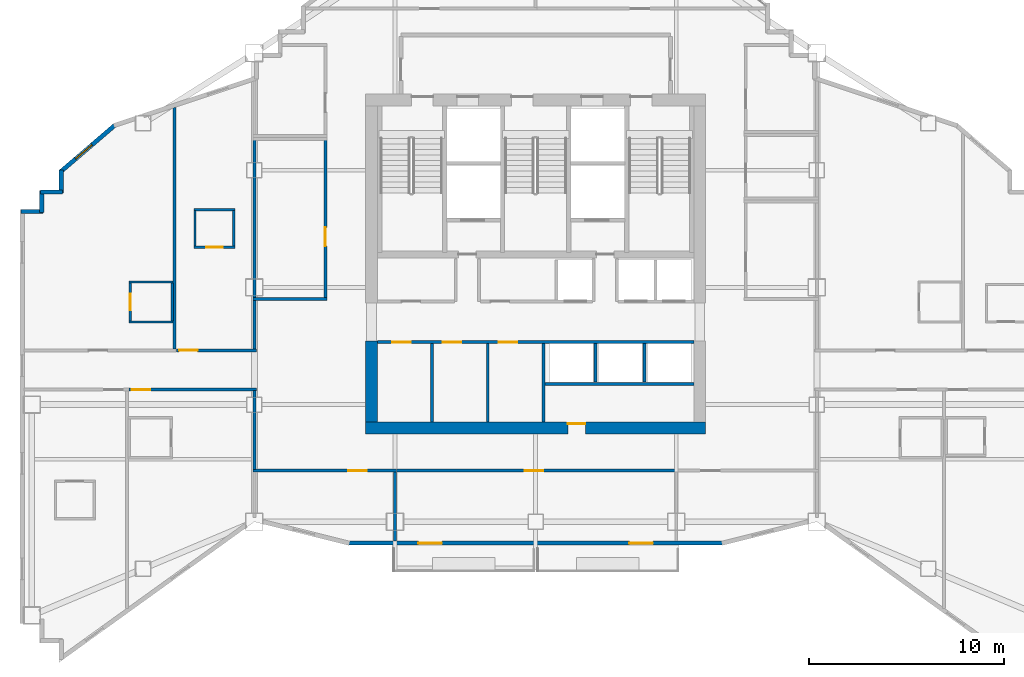
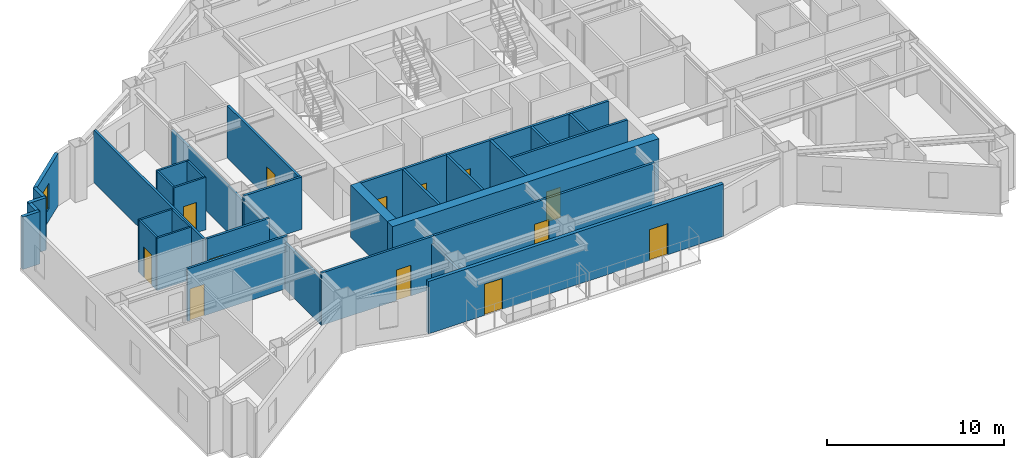
# One storey, part 5 of 10: 34 walls, 13 doors, 1 window, 14 openings.
"""IFC4 building model written with IfcOpenShell, lengths in metres."""

from ifc_helpers import new_model, si_unit, direction, frame, frame_2d, origin, place, context, subcontext, project, spatial, rectangle, extrude, material, layer, layer_set, type_object, element, fill, save


model = new_model("IFC4")

# Units and contexts
model_context = context("Model", 3, precision=1e-05, world=origin(), true_north=direction((0.0, 1.0)))
body_context = subcontext(model_context, "Body", "Model", "MODEL_VIEW")
ifc_project = project(units=[si_unit("LENGTHUNIT", "METRE"), si_unit("AREAUNIT", "SQUARE_METRE"), si_unit("VOLUMEUNIT", "CUBIC_METRE"), si_unit("PLANEANGLEUNIT", "RADIAN"), si_unit("MASSUNIT", "GRAM", prefix="KILO")], contexts=[model_context])

# Site, building, storey
site_placement = place(None, origin())
site = spatial("IfcSite", under=ifc_project, at=site_placement, CompositionType="ELEMENT")
building_placement = place(site_placement, origin())
building = spatial("IfcBuilding", under=site, at=building_placement, Name="Haolan Belvedere Tower", CompositionType="ELEMENT")
storey_placement = place(building_placement, frame((0.0, 0.0, 180.39990234375)))
storey = spatial("IfcBuildingStorey", under=building, at=storey_placement, Name="L45", CompositionType="ELEMENT", Elevation=180.39990234375)

# Wall, opening, door
ifc_material_1 = material(Name="Concrete C60/75", Category="concrete")
ifc_layer_1 = layer(ifc_material_1, 0.60009765625, Name="Concrete C60/75")
ifc_layer_set_1 = layer_set([ifc_layer_1], Name="Concrete C60/75")
wall_type_1 = type_object("IfcWallType", Name="WL-CORE-600", PredefinedType="SHEAR", material=ifc_layer_set_1)
wall_1_placement = place(storey_placement, frame((29.699951171875, 26.39990234375, 0.0), z_axis=(0.0, 0.0, 1.0), x_axis=(1.0, 0.0, 0.0)))
wall_1 = element("IfcWall", 1, at=wall_1_placement, inside=storey, type_object=wall_type_1, Name="L45 central core south shear wall", PredefinedType="SHEAR", context=body_context, shape_type="SweptSolid", body=[
    extrude(rectangle(XDim=17.400146484375, YDim=0.60009765625, at=frame_2d((8.7001953125, 0.0))), origin(), (0.0, 0.0, 1.0), 3.6201171875),
])
opening_1_placement = place(wall_1_placement, frame((11.25, 0.0, 0.0), z_axis=(0.0, 0.0, 1.0), x_axis=(-1.0, 0.0, 0.0)))
opening_1 = element("IfcOpeningElement", 2, at=opening_1_placement, cuts=wall_1, Name="Opening FD-05", PredefinedType="OPENING", context=body_context, shape_type="SweptSolid", body=[
    extrude(rectangle(XDim=0.89990234375, YDim=2.10009765625, at=frame_2d((0.449951171875, 1.050048828125))), frame((0.0, 0.31005859375, 0.0), z_axis=(0.0, -1.0, 0.0), x_axis=(1.0, 0.0, 0.0)), (0.0, 0.0, 1.0), 0.6201171875),
])
ifc_material_2 = material(Name="Galvanised fire-rated steel", Category="steel")
door_type_1 = type_object("IfcDoorType", Name="DR-FD60-900", OperationType="NOTDEFINED", PredefinedType="DOOR", material=ifc_material_2)
door_1_placement = place(opening_1_placement, origin())
door_1 = element("IfcDoor", 3, at=door_1_placement, inside=storey, type_object=door_type_1, Name="L45 door CD-L45-SCVE", OperationType="SINGLE_SWING_RIGHT", OverallHeight=2.10009765625, OverallWidth=0.89990234375, PredefinedType="DOOR", context=body_context, shape_type="SweptSolid", body=[
    extrude(rectangle(XDim=0.89990234375, YDim=2.10009765625, at=frame_2d((0.449951171875, 1.050048828125))), frame((0.0, -0.19482421875, 0.0), z_axis=(0.0, -1.0, 0.0), x_axis=(1.0, 0.0, 0.0)), (0.0, 0.0, 1.0), 0.050048828125),
])
fill(opening_1, door_1)

# Wall
wall_2_placement = place(storey_placement, frame((30.0, 26.699951171875, 0.0), z_axis=(0.0, 0.0, 1.0), x_axis=(0.0, 1.0, 0.0)))
element("IfcWall", 4, at=wall_2_placement, inside=storey, type_object=wall_type_1, Name="L45 central core shear wall WS", PredefinedType="SHEAR", context=body_context, shape_type="SweptSolid", body=[
    extrude(rectangle(XDim=4.150146484375, YDim=0.60009765625, at=frame_2d((2.0751953125, 0.0))), origin(), (0.0, 0.0, 1.0), 3.6201171875),
])

# Wall, openings, doors
ifc_material_3 = material(Name="Precast concrete C40/50", Category="concrete")
ifc_layer_2 = layer(ifc_material_3, 0.219970703125, Name="Precast concrete C40/50")
ifc_layer_set_2 = layer_set([ifc_layer_2], Name="Precast concrete C40/50")
wall_type_2 = type_object("IfcWallType", Name="WL-EXT-220", PredefinedType="SOLIDWALL", material=ifc_layer_set_2)
wall_3_placement = place(storey_placement, frame((28.758544921875, 20.510009765625, 0.0), z_axis=(0.0, 0.0, 1.0), x_axis=(1.0, 0.0, 0.0)))
wall_3 = element("IfcWall", 5, at=wall_3_placement, inside=storey, type_object=wall_type_2, Name="L45 pale-metal exterior spandrel wall 1.1", PredefinedType="SOLIDWALL", context=body_context, shape_type="SweptSolid", body=[
    extrude(rectangle(XDim=19.282958984375, YDim=0.219970703125, at=frame_2d((9.6416015625, 0.0))), origin(), (0.0, 0.0, 1.0), 3.6201171875),
])
opening_2_placement = place(wall_3_placement, frame((4.841552734375, 0.0, 0.0), z_axis=(0.0, 0.0, 1.0), x_axis=(-1.0, 0.0, 0.0)))
opening_2 = element("IfcOpeningElement", 6, at=opening_2_placement, cuts=wall_3, Name="Opening BD-01", PredefinedType="OPENING", context=body_context, shape_type="SweptSolid", body=[
    extrude(rectangle(XDim=1.199951171875, YDim=2.14990234375, at=frame_2d((0.60009765625, 1.074951171875))), frame((0.0, 0.119873046875, 0.0), z_axis=(0.0, -1.0, 0.0), x_axis=(1.0, 0.0, 0.0)), (0.0, 0.0, 1.0), 0.239990234375),
])
opening_3_placement = place(wall_3_placement, frame((15.641357421875, 0.0, 0.0), z_axis=(0.0, 0.0, 1.0), x_axis=(-1.0, 0.0, 0.0)))
opening_3 = element("IfcOpeningElement", 7, at=opening_3_placement, cuts=wall_3, Name="Opening BD-01", PredefinedType="OPENING", context=body_context, shape_type="SweptSolid", body=[
    extrude(rectangle(XDim=1.199951171875, YDim=2.14990234375, at=frame_2d((0.60009765625, 1.074951171875))), frame((0.0, 0.119873046875, 0.0), z_axis=(0.0, -1.0, 0.0), x_axis=(1.0, 0.0, 0.0)), (0.0, 0.0, 1.0), 0.239990234375),
])
ifc_material_4 = material(Name="Thermally broken pale-metal aluminium and Low-E glass", Category="aluminium")
door_type_2 = type_object("IfcDoorType", Name="DR-BAL-1200", OperationType="NOTDEFINED", PredefinedType="DOOR", material=ifc_material_4)
door_2_placement = place(opening_2_placement, origin())
door_2 = element("IfcDoor", 8, at=door_2_placement, inside=storey, type_object=door_type_2, Name="L45 tree-balcony access door 1", OperationType="SINGLE_SWING_LEFT", OverallHeight=2.14990234375, OverallWidth=1.199951171875, PredefinedType="DOOR", context=body_context, shape_type="SweptSolid", body=[
    extrude(rectangle(XDim=1.199951171875, YDim=2.14990234375, at=frame_2d((0.60009765625, 1.074951171875))), frame((0.0, 0.02490234375, 0.0), z_axis=(0.0, -1.0, 0.0), x_axis=(1.0, 0.0, 0.0)), (0.0, 0.0, 1.0), 0.050048828125),
])
fill(opening_2, door_2)
door_3_placement = place(opening_3_placement, origin())
door_3 = element("IfcDoor", 9, at=door_3_placement, inside=storey, type_object=door_type_2, Name="L45 tree-balcony access door 2", OperationType="SINGLE_SWING_RIGHT", OverallHeight=2.14990234375, OverallWidth=1.199951171875, PredefinedType="DOOR", context=body_context, shape_type="SweptSolid", body=[
    extrude(rectangle(XDim=1.199951171875, YDim=2.14990234375, at=frame_2d((0.60009765625, 1.074951171875))), frame((0.0, 0.02490234375, 0.0), z_axis=(0.0, -1.0, 0.0), x_axis=(1.0, 0.0, 0.0)), (0.0, 0.0, 1.0), 0.050048828125),
])
fill(opening_3, door_3)

# Wall, opening, window
wall_4_placement = place(storey_placement, frame((16.89697265625, 41.938232421875, 0.0), z_axis=(0.0, 0.0, 1.0), x_axis=(-0.759279729622, -0.650764390686, 0.0)))
wall_4 = element("IfcWall", 10, at=wall_4_placement, inside=storey, type_object=wall_type_2, Name="L45 pale-metal exterior spandrel wall 30.1", PredefinedType="SOLIDWALL", context=body_context, shape_type="SweptSolid", body=[
    extrude(rectangle(XDim=3.725830078125, YDim=0.219970703125, at=frame_2d((1.86279296875, 0.0))), origin(), (0.0, 0.0, 1.0), 3.6201171875),
])
opening_4_placement = place(wall_4_placement, frame((1.60009765625, 0.0, 0.85009765625)))
opening_4 = element("IfcOpeningElement", 11, at=opening_4_placement, cuts=wall_4, Name="Opening W-03", PredefinedType="OPENING", context=body_context, shape_type="SweptSolid", body=[
    extrude(rectangle(XDim=1.10009765625, YDim=1.75, at=frame_2d((0.550048828125, 0.875))), frame((0.0, 0.119873046875, 0.0), z_axis=(0.0, -1.0, 0.0), x_axis=(1.0, 0.0, 0.0)), (0.0, 0.0, 1.0), 0.239990234375),
])
ifc_material_5 = material(Name="Anodised aluminium 6063-T6 and Low-E glass", Category="aluminium")
window_type = type_object("IfcWindowType", Name="WN-DECO-Z3", PartitioningType="SINGLE_PANEL", PredefinedType="WINDOW", material=ifc_material_5)
window_placement = place(opening_4_placement, origin())
window = element("IfcWindow", 12, at=window_placement, inside=storey, type_object=window_type, Name="L45 Art Deco chevron window 1", OverallHeight=1.75, OverallWidth=1.10009765625, PartitioningType="SINGLE_PANEL", PredefinedType="WINDOW", context=body_context, shape_type="SweptSolid", body=[
    extrude(rectangle(XDim=1.10009765625, YDim=1.75, at=frame_2d((0.550048828125, 0.875))), frame((0.0, 0.030029296875, 0.0), z_axis=(0.0, -1.0, 0.0), x_axis=(1.0, 0.0, 0.0)), (0.0, 0.0, 1.0), 0.06005859375),
])
fill(opening_4, window)

# Walls
wall_5_placement = place(storey_placement, frame((14.110107421875, 39.6044921875, 0.0), z_axis=(0.0, 0.0, 1.0), x_axis=(0.0, -1.0, 0.0)))
element("IfcWall", 13, at=wall_5_placement, inside=storey, type_object=wall_type_2, Name="L45 pale-metal exterior spandrel wall 31.1", PredefinedType="SOLIDWALL", context=body_context, shape_type="SweptSolid", body=[
    extrude(rectangle(XDim=1.16943359375, YDim=0.219970703125, at=frame_2d((0.584716796875, 0.0))), origin(), (0.0, 0.0, 1.0), 3.6201171875),
])
wall_6_placement = place(storey_placement, frame((14.1650390625, 38.489990234375, 0.0), z_axis=(0.0, 0.0, 1.0), x_axis=(-1.0, 0.0, 0.0)))
element("IfcWall", 14, at=wall_6_placement, inside=storey, type_object=wall_type_2, Name="L45 pale-metal exterior spandrel wall 32.1", PredefinedType="SOLIDWALL", context=body_context, shape_type="SweptSolid", body=[
    extrude(rectangle(XDim=1.110107421875, YDim=0.219970703125, at=frame_2d((0.55517578125, 0.0))), origin(), (0.0, 0.0, 1.0), 3.6201171875),
])
wall_7_placement = place(storey_placement, frame((13.110107421875, 38.544921875, 0.0), z_axis=(0.0, 0.0, 1.0), x_axis=(0.0, -1.0, 0.0)))
element("IfcWall", 15, at=wall_7_placement, inside=storey, type_object=wall_type_2, Name="L45 pale-metal exterior spandrel wall 33.1", PredefinedType="SOLIDWALL", context=body_context, shape_type="SweptSolid", body=[
    extrude(rectangle(XDim=1.10986328125, YDim=0.219970703125, at=frame_2d((0.554931640625, 0.0))), origin(), (0.0, 0.0, 1.0), 3.6201171875),
])
wall_8_placement = place(storey_placement, frame((13.1650390625, 37.489990234375, 0.0), z_axis=(0.0, 0.0, 1.0), x_axis=(-1.0, 0.0, 0.0)))
element("IfcWall", 16, at=wall_8_placement, inside=storey, type_object=wall_type_2, Name="L45 pale-metal exterior spandrel wall 34.1", PredefinedType="SOLIDWALL", context=body_context, shape_type="SweptSolid", body=[
    extrude(rectangle(XDim=1.110107421875, YDim=0.219970703125, at=frame_2d((0.55517578125, 0.0))), origin(), (0.0, 0.0, 1.0), 3.6201171875),
])
ifc_material_6 = material(Name="Double gypsum acoustic stud partition", Category="masonry")
ifc_layer_3 = layer(ifc_material_6, 0.14990234375, Name="Double gypsum acoustic stud partition")
ifc_layer_set_3 = layer_set([ifc_layer_3], Name="Double gypsum acoustic stud partition")
wall_type_3 = type_object("IfcWallType", Name="WL-PART-150", PredefinedType="PARTITIONING", material=ifc_layer_set_3)
for number, where, z_axis, x_axis, name in (
    (17, (33.10009765625, 26.7099609375, 0.0), (0.0, 0.0, 1.0), (0.0, 1.0, 0.0), "L45 interior partition IW-L45-DIV-REUSE-PM1"),
    (18, (35.949951171875, 26.7099609375, 0.0), (0.0, 0.0, 1.0), (0.0, 1.0, 0.0), "L45 interior partition IW-L45-DIV-REUSE-PM2"),
):
    element("IfcWall", number, at=place(storey_placement, frame(where, z_axis=z_axis, x_axis=x_axis)), inside=storey, type_object=wall_type_3, Name=name, PredefinedType="PARTITIONING", context=body_context, shape_type="SweptSolid", body=[
        extrude(rectangle(XDim=4.025146484375, YDim=0.14990234375, at=frame_2d((2.0126953125, 0.0))), origin(), (0.0, 0.0, 1.0), 3.6201171875),
    ])
wall_9_placement = place(storey_placement, frame((38.860107421875, 28.659912109375, 0.0), z_axis=(0.0, 0.0, 1.0), x_axis=(1.0, 0.0, 0.0)))
element("IfcWall", 19, at=wall_9_placement, inside=storey, type_object=wall_type_3, Name="L45 interior partition IW-L45-SSTRIP-E", PredefinedType="PARTITIONING", context=body_context, shape_type="SweptSolid", body=[
    extrude(rectangle(XDim=7.639892578125, YDim=0.14990234375, at=frame_2d((3.81982421875, 0.0))), origin(), (0.0, 0.0, 1.0), 3.6201171875),
])
wall_10_placement = place(storey_placement, frame((23.919921875, 33.0, 0.0), z_axis=(0.0, 0.0, 1.0), x_axis=(1.0, 0.0, 0.0)))
element("IfcWall", 20, at=wall_10_placement, inside=storey, type_object=wall_type_3, Name="L45 interior partition IW-L45-SAL-S", PredefinedType="PARTITIONING", context=body_context, shape_type="SweptSolid", body=[
    extrude(rectangle(XDim=3.800048828125, YDim=0.14990234375, at=frame_2d((1.89990234375, 0.0))), origin(), (0.0, 0.0, 1.0), 3.6201171875),
])
wall_11_placement = place(storey_placement, frame((24.0, 33.06005859375, 0.0), z_axis=(0.0, 0.0, 1.0), x_axis=(0.0, 1.0, 0.0)))
element("IfcWall", 21, at=wall_11_placement, inside=storey, type_object=wall_type_3, Name="L45 interior partition IW-L45-SAL-W", PredefinedType="PARTITIONING", context=body_context, shape_type="SweptSolid", body=[
    extrude(rectangle(XDim=8.079833984375, YDim=0.14990234375, at=frame_2d((4.0400390625, 0.0))), origin(), (0.0, 0.0, 1.0), 3.215087890625),
])

# Wall, opening, door
wall_12_placement = place(storey_placement, frame((27.639892578125, 33.06005859375, 0.0), z_axis=(0.0, 0.0, 1.0), x_axis=(0.0, 1.0, 0.0)))
wall_12 = element("IfcWall", 22, at=wall_12_placement, inside=storey, type_object=wall_type_3, Name="L45 interior partition IW-L45-SAL-E", PredefinedType="PARTITIONING", context=body_context, shape_type="SweptSolid", body=[
    extrude(rectangle(XDim=8.079833984375, YDim=0.14990234375, at=frame_2d((4.0400390625, 0.0))), origin(), (0.0, 0.0, 1.0), 3.6201171875),
])
opening_5_placement = place(wall_12_placement, frame((3.60986328125, 0.0, 0.0), z_axis=(0.0, 0.0, 1.0), x_axis=(-1.0, 0.0, 0.0)))
opening_5 = element("IfcOpeningElement", 23, at=opening_5_placement, cuts=wall_12, Name="Opening ID-03", PredefinedType="OPENING", context=body_context, shape_type="SweptSolid", body=[
    extrude(rectangle(XDim=0.949951171875, YDim=2.1201171875, at=frame_2d((0.47509765625, 1.06005859375))), frame((0.0, 0.0849609375, 0.0), z_axis=(0.0, -1.0, 0.0), x_axis=(1.0, 0.0, 0.0)), (0.0, 0.0, 1.0), 0.169921875),
])
ifc_material_7 = material(Name="Painted solid-core timber", Category="wood")
door_type_3 = type_object("IfcDoorType", Name="DR-INT-950", OperationType="NOTDEFINED", PredefinedType="DOOR", material=ifc_material_7)
door_4_placement = place(opening_5_placement, origin())
door_4 = element("IfcDoor", 24, at=door_4_placement, inside=storey, type_object=door_type_3, Name="L45 door ID-L45-SAL", OperationType="SINGLE_SWING_LEFT", OverallHeight=2.1201171875, OverallWidth=0.949951171875, PredefinedType="DOOR", context=body_context, shape_type="SweptSolid", body=[
    extrude(rectangle(XDim=0.949951171875, YDim=2.1201171875, at=frame_2d((0.47509765625, 1.06005859375))), frame((0.0, 0.02490234375, 0.0), z_axis=(0.0, -1.0, 0.0), x_axis=(1.0, 0.0, 0.0)), (0.0, 0.0, 1.0), 0.050048828125),
])
fill(opening_5, door_4)

wall_13_placement = place(storey_placement, frame((23.919921875, 24.219970703125, 0.0), z_axis=(0.0, 0.0, 1.0), x_axis=(1.0, 0.0, 0.0)))
wall_13 = element("IfcWall", 25, at=wall_13_placement, inside=storey, type_object=wall_type_3, Name="L45 interior partition IW-L45-KS1-N", PredefinedType="PARTITIONING", context=body_context, shape_type="SweptSolid", body=[
    extrude(rectangle(XDim=7.360107421875, YDim=0.14990234375, at=frame_2d((3.68017578125, 0.0))), origin(), (0.0, 0.0, 1.0), 3.6201171875),
])
opening_6_placement = place(wall_13_placement, frame((5.844970703125, 0.0, 0.0), z_axis=(0.0, 0.0, 1.0), x_axis=(-1.0, 0.0, 0.0)))
opening_6 = element("IfcOpeningElement", 26, at=opening_6_placement, cuts=wall_13, Name="Opening ID-03", PredefinedType="OPENING", context=body_context, shape_type="SweptSolid", body=[
    extrude(rectangle(XDim=0.949951171875, YDim=2.1201171875, at=frame_2d((0.47509765625, 1.06005859375))), frame((0.0, 0.0849609375, 0.0), z_axis=(0.0, -1.0, 0.0), x_axis=(1.0, 0.0, 0.0)), (0.0, 0.0, 1.0), 0.169921875),
])
door_5_placement = place(opening_6_placement, origin())
door_5 = element("IfcDoor", 27, at=door_5_placement, inside=storey, type_object=door_type_3, Name="L45 door ID-L45-KS1", OperationType="SINGLE_SWING_LEFT", OverallHeight=2.1201171875, OverallWidth=0.949951171875, PredefinedType="DOOR", context=body_context, shape_type="SweptSolid", body=[
    extrude(rectangle(XDim=0.949951171875, YDim=2.1201171875, at=frame_2d((0.47509765625, 1.06005859375))), frame((0.0, 0.02490234375, 0.0), z_axis=(0.0, -1.0, 0.0), x_axis=(1.0, 0.0, 0.0)), (0.0, 0.0, 1.0), 0.050048828125),
])
fill(opening_6, door_5)

# Wall
wall_14_placement = place(storey_placement, frame((31.199951171875, 20.612060546875, 0.0), z_axis=(0.0, 0.0, 1.0), x_axis=(0.0, 1.0, 0.0)))
element("IfcWall", 28, at=wall_14_placement, inside=storey, type_object=wall_type_3, Name="L45 interior partition IW-L45-KS1-E", PredefinedType="PARTITIONING", context=body_context, shape_type="SweptSolid", body=[
    extrude(rectangle(XDim=3.5478515625, YDim=0.14990234375, at=frame_2d((1.77392578125, 0.0))), origin(), (0.0, 0.0, 1.0), 3.10498046875),
])

# Wall, opening, door
wall_15_placement = place(storey_placement, frame((31.281982421875, 24.219970703125, 0.0), z_axis=(0.0, 0.0, 1.0), x_axis=(1.0, 0.0, 0.0)))
wall_15 = element("IfcWall", 29, at=wall_15_placement, inside=storey, type_object=wall_type_3, Name="L45 interior partition IW-L45-KS2-N", PredefinedType="PARTITIONING", context=body_context, shape_type="SweptSolid", body=[
    extrude(rectangle(XDim=14.39794921875, YDim=0.14990234375, at=frame_2d((7.198974609375, 0.0))), origin(), (0.0, 0.0, 1.0), 3.6201171875),
])
opening_7_placement = place(wall_15_placement, frame((7.512939453125, 0.0, 0.0), z_axis=(0.0, 0.0, 1.0), x_axis=(-1.0, 0.0, 0.0)))
opening_7 = element("IfcOpeningElement", 30, at=opening_7_placement, cuts=wall_15, Name="Opening ID-03", PredefinedType="OPENING", context=body_context, shape_type="SweptSolid", body=[
    extrude(rectangle(XDim=0.949951171875, YDim=2.1201171875, at=frame_2d((0.47509765625, 1.06005859375))), frame((0.0, 0.0849609375, 0.0), z_axis=(0.0, -1.0, 0.0), x_axis=(1.0, 0.0, 0.0)), (0.0, 0.0, 1.0), 0.169921875),
])
door_6_placement = place(opening_7_placement, origin())
door_6 = element("IfcDoor", 31, at=door_6_placement, inside=storey, type_object=door_type_3, Name="L45 door ID-L45-KS2", OperationType="SINGLE_SWING_RIGHT", OverallHeight=2.1201171875, OverallWidth=0.949951171875, PredefinedType="DOOR", context=body_context, shape_type="SweptSolid", body=[
    extrude(rectangle(XDim=0.949951171875, YDim=2.1201171875, at=frame_2d((0.47509765625, 1.06005859375))), frame((0.0, 0.02490234375, 0.0), z_axis=(0.0, -1.0, 0.0), x_axis=(1.0, 0.0, 0.0)), (0.0, 0.0, 1.0), 0.050048828125),
])
fill(opening_7, door_6)

# Wall
wall_16_placement = place(storey_placement, frame((19.89990234375, 30.43994140625, 0.0), z_axis=(0.0, 0.0, 1.0), x_axis=(0.0, 1.0, 0.0)))
element("IfcWall", 32, at=wall_16_placement, inside=storey, type_object=wall_type_3, Name="L45 interior partition IW-L45-T2N1-E", PredefinedType="PARTITIONING", context=body_context, shape_type="SweptSolid", body=[
    extrude(rectangle(XDim=12.369873046875, YDim=0.14990234375, at=frame_2d((6.18505859375, 0.0))), origin(), (0.0, 0.0, 1.0), 3.6201171875),
])

# Wall, opening, door
wall_17_placement = place(storey_placement, frame((20.001953125, 30.3798828125, 0.0), z_axis=(0.0, 0.0, 1.0), x_axis=(1.0, 0.0, 0.0)))
wall_17 = element("IfcWall", 33, at=wall_17_placement, inside=storey, type_object=wall_type_3, Name="L45 interior partition IW-L45-T2N2-S", PredefinedType="PARTITIONING", context=body_context, shape_type="SweptSolid", body=[
    extrude(rectangle(XDim=4.09814453125, YDim=0.14990234375, at=frame_2d((2.049072265625, 0.0))), origin(), (0.0, 0.0, 1.0), 3.6201171875),
])
opening_8_placement = place(wall_17_placement, frame((0.139892578125, 0.0, 0.0)))
opening_8 = element("IfcOpeningElement", 34, at=opening_8_placement, cuts=wall_17, Name="Opening ID-02", PredefinedType="OPENING", context=body_context, shape_type="SweptSolid", body=[
    extrude(rectangle(XDim=0.949951171875, YDim=2.14990234375, at=frame_2d((0.47509765625, 1.074951171875))), frame((0.0, 0.0849609375, 0.0), z_axis=(0.0, -1.0, 0.0), x_axis=(1.0, 0.0, 0.0)), (0.0, 0.0, 1.0), 0.169921875),
])
ifc_material_8 = material(Name="Acoustic oak veneer fire-rated timber", Category="wood")
door_type_4 = type_object("IfcDoorType", Name="DR-GUEST-950", OperationType="NOTDEFINED", PredefinedType="DOOR", material=ifc_material_8)
door_7_placement = place(opening_8_placement, origin())
door_7 = element("IfcDoor", 35, at=door_7_placement, inside=storey, type_object=door_type_4, Name="L45 door ID-L45-T2N2-ENT", OperationType="SINGLE_SWING_LEFT", OverallHeight=2.14990234375, OverallWidth=0.949951171875, PredefinedType="DOOR", context=body_context, shape_type="SweptSolid", body=[
    extrude(rectangle(XDim=0.949951171875, YDim=2.14990234375, at=frame_2d((0.47509765625, 1.074951171875))), frame((0.0, 0.02490234375, 0.0), z_axis=(0.0, -1.0, 0.0), x_axis=(1.0, 0.0, 0.0)), (0.0, 0.0, 1.0), 0.050048828125),
])
fill(opening_8, door_7)

# Wall
wall_18_placement = place(storey_placement, frame((24.0, 30.43994140625, 0.0), z_axis=(0.0, 0.0, 1.0), x_axis=(0.0, 1.0, 0.0)))
element("IfcWall", 36, at=wall_18_placement, inside=storey, type_object=wall_type_3, Name="L45 interior partition IW-L45-T2N2-E", PredefinedType="PARTITIONING", context=body_context, shape_type="SweptSolid", body=[
    extrude(rectangle(XDim=2.5, YDim=0.14990234375, at=frame_2d((1.25, 0.0))), origin(), (0.0, 0.0, 1.0), 3.215087890625),
])

# Wall, opening, door
wall_19_placement = place(storey_placement, frame((17.58203125, 28.3701171875, 0.0), z_axis=(0.0, 0.0, 1.0), x_axis=(1.0, 0.0, 0.0)))
wall_19 = element("IfcWall", 37, at=wall_19_placement, inside=storey, type_object=wall_type_3, Name="L45 interior partition IW-L45-T2S2-N", PredefinedType="PARTITIONING", context=body_context, shape_type="SweptSolid", body=[
    extrude(rectangle(XDim=6.51806640625, YDim=0.14990234375, at=frame_2d((3.259033203125, 0.0))), origin(), (0.0, 0.0, 1.0), 3.6201171875),
])
opening_9_placement = place(wall_19_placement, frame((1.08984375, 0.0, 0.0), z_axis=(0.0, 0.0, 1.0), x_axis=(-1.0, 0.0, 0.0)))
opening_9 = element("IfcOpeningElement", 38, at=opening_9_placement, cuts=wall_19, Name="Opening ID-01", PredefinedType="OPENING", context=body_context, shape_type="SweptSolid", body=[
    extrude(rectangle(XDim=0.949951171875, YDim=2.179931640625, at=frame_2d((0.47509765625, 1.08984375))), frame((0.0, 0.0849609375, 0.0), z_axis=(0.0, -1.0, 0.0), x_axis=(1.0, 0.0, 0.0)), (0.0, 0.0, 1.0), 0.169921875),
])
ifc_material_9 = material(Name="Acoustic walnut veneer fire-rated timber", Category="wood")
door_type_5 = type_object("IfcDoorType", Name="DR-SUITE-950", OperationType="NOTDEFINED", PredefinedType="DOOR", material=ifc_material_9)
door_8_placement = place(opening_9_placement, origin())
door_8 = element("IfcDoor", 39, at=door_8_placement, inside=storey, type_object=door_type_5, Name="L45 door ID-L45-T2S2-ENT", OperationType="SINGLE_SWING_LEFT", OverallHeight=2.179931640625, OverallWidth=0.949951171875, PredefinedType="DOOR", context=body_context, shape_type="SweptSolid", body=[
    extrude(rectangle(XDim=0.949951171875, YDim=2.179931640625, at=frame_2d((0.47509765625, 1.08984375))), frame((0.0, 0.02490234375, 0.0), z_axis=(0.0, -1.0, 0.0), x_axis=(1.0, 0.0, 0.0)), (0.0, 0.0, 1.0), 0.050048828125),
])
fill(opening_9, door_8)

# Wall
wall_20_placement = place(storey_placement, frame((24.0, 24.280029296875, 0.0), z_axis=(0.0, 0.0, 1.0), x_axis=(0.0, 1.0, 0.0)))
element("IfcWall", 40, at=wall_20_placement, inside=storey, type_object=wall_type_3, Name="L45 interior partition IW-L45-T2S2-E", PredefinedType="PARTITIONING", context=body_context, shape_type="SweptSolid", body=[
    extrude(rectangle(XDim=4.030029296875, YDim=0.14990234375, at=frame_2d((2.01513671875, 0.0))), origin(), (0.0, 0.0, 1.0), 3.215087890625),
])

# Wall, openings, doors
ifc_material_10 = material(Name="Gypsum fire shaftwall assembly", Category="masonry")
ifc_layer_4 = layer(ifc_material_10, 0.1650390625, Name="Gypsum fire shaftwall assembly")
ifc_layer_set_4 = layer_set([ifc_layer_4], Name="Gypsum fire shaftwall assembly")
wall_type_4 = type_object("IfcWallType", Name="WL-SHAFT-160", PredefinedType="SOLIDWALL", material=ifc_layer_set_4)
wall_21_placement = place(storey_placement, frame((30.300048828125, 30.800048828125, 0.0), z_axis=(0.0, 0.0, 1.0), x_axis=(1.0, 0.0, 0.0)))
wall_21 = element("IfcWall", 41, at=wall_21_placement, inside=storey, type_object=wall_type_4, Name="L45 interior partition IW-L45-ROW-PS", PredefinedType="SOLIDWALL", context=body_context, shape_type="SweptSolid", body=[
    extrude(rectangle(XDim=16.199951171875, YDim=0.159912109375, at=frame_2d((8.10009765625, 0.0))), origin(), (0.0, 0.0, 1.0), 3.6201171875),
])
opening_10_placement = place(wall_21_placement, frame((0.75, 0.0, 0.0)))
opening_10 = element("IfcOpeningElement", 42, at=opening_10_placement, cuts=wall_21, Name="Opening ID-03", PredefinedType="OPENING", context=body_context, shape_type="SweptSolid", body=[
    extrude(rectangle(XDim=0.949951171875, YDim=2.1201171875, at=frame_2d((0.47509765625, 1.06005859375))), frame((0.0, 0.08984375, 0.0), z_axis=(0.0, -1.0, 0.0), x_axis=(1.0, 0.0, 0.0)), (0.0, 0.0, 1.0), 0.179931640625),
])
opening_11_placement = place(wall_21_placement, frame((3.35009765625, 0.0, 0.0)))
opening_11 = element("IfcOpeningElement", 43, at=opening_11_placement, cuts=wall_21, Name="Opening ID-03", PredefinedType="OPENING", context=body_context, shape_type="SweptSolid", body=[
    extrude(rectangle(XDim=0.949951171875, YDim=2.1201171875, at=frame_2d((0.47509765625, 1.06005859375))), frame((0.0, 0.08984375, 0.0), z_axis=(0.0, -1.0, 0.0), x_axis=(1.0, 0.0, 0.0)), (0.0, 0.0, 1.0), 0.179931640625),
])
opening_12_placement = place(wall_21_placement, frame((6.199951171875, 0.0, 0.0)))
opening_12 = element("IfcOpeningElement", 44, at=opening_12_placement, cuts=wall_21, Name="Opening ID-03", PredefinedType="OPENING", context=body_context, shape_type="SweptSolid", body=[
    extrude(rectangle(XDim=0.949951171875, YDim=2.1201171875, at=frame_2d((0.47509765625, 1.06005859375))), frame((0.0, 0.08984375, 0.0), z_axis=(0.0, -1.0, 0.0), x_axis=(1.0, 0.0, 0.0)), (0.0, 0.0, 1.0), 0.179931640625),
])
door_9_placement = place(opening_10_placement, origin())
door_9 = element("IfcDoor", 45, at=door_9_placement, inside=storey, type_object=door_type_3, Name="L45 door ID-L45-CD-RPMA", OperationType="SINGLE_SWING_LEFT", OverallHeight=2.1201171875, OverallWidth=0.949951171875, PredefinedType="DOOR", context=body_context, shape_type="SweptSolid", body=[
    extrude(rectangle(XDim=0.949951171875, YDim=2.1201171875, at=frame_2d((0.47509765625, 1.06005859375))), frame((0.0, 0.02490234375, 0.0), z_axis=(0.0, -1.0, 0.0), x_axis=(1.0, 0.0, 0.0)), (0.0, 0.0, 1.0), 0.050048828125),
])
fill(opening_10, door_9)
door_10_placement = place(opening_11_placement, origin())
door_10 = element("IfcDoor", 46, at=door_10_placement, inside=storey, type_object=door_type_3, Name="L45 door ID-L45-CD-RPMB", OperationType="SINGLE_SWING_RIGHT", OverallHeight=2.1201171875, OverallWidth=0.949951171875, PredefinedType="DOOR", context=body_context, shape_type="SweptSolid", body=[
    extrude(rectangle(XDim=0.949951171875, YDim=2.1201171875, at=frame_2d((0.47509765625, 1.06005859375))), frame((0.0, 0.02490234375, 0.0), z_axis=(0.0, -1.0, 0.0), x_axis=(1.0, 0.0, 0.0)), (0.0, 0.0, 1.0), 0.050048828125),
])
fill(opening_11, door_10)
door_11_placement = place(opening_12_placement, origin())
door_11 = element("IfcDoor", 47, at=door_11_placement, inside=storey, type_object=door_type_3, Name="L45 door ID-L45-CD-RPMC", OperationType="SINGLE_SWING_LEFT", OverallHeight=2.1201171875, OverallWidth=0.949951171875, PredefinedType="DOOR", context=body_context, shape_type="SweptSolid", body=[
    extrude(rectangle(XDim=0.949951171875, YDim=2.1201171875, at=frame_2d((0.47509765625, 1.06005859375))), frame((0.0, 0.02490234375, 0.0), z_axis=(0.0, -1.0, 0.0), x_axis=(1.0, 0.0, 0.0)), (0.0, 0.0, 1.0), 0.050048828125),
])
fill(opening_12, door_11)

# Walls
wall_22_placement = place(storey_placement, frame((38.800048828125, 26.7099609375, 0.0), z_axis=(0.0, 0.0, 1.0), x_axis=(0.0, 1.0, 0.0)))
element("IfcWall", 48, at=wall_22_placement, inside=storey, type_object=wall_type_4, Name="L45 interior partition IW-L45-DIV-PM-OB", PredefinedType="SOLIDWALL", context=body_context, shape_type="SweptSolid", body=[
    extrude(rectangle(XDim=4.025146484375, YDim=0.14990234375, at=frame_2d((2.0126953125, 0.0))), origin(), (0.0, 0.0, 1.0), 3.6201171875),
])
for number, where, z_axis, x_axis, name in (
    (49, (41.469970703125, 28.75, 0.0), (0.0, 0.0, 1.0), (0.0, 1.0, 0.0), "L45 interior partition IW-L45-DIV-OB1"),
    (50, (43.97998046875, 28.75, 0.0), (0.0, 0.0, 1.0), (0.0, 1.0, 0.0), "L45 interior partition IW-L45-DIV-OB2"),
):
    element("IfcWall", number, at=place(storey_placement, frame(where, z_axis=z_axis, x_axis=x_axis)), inside=storey, type_object=wall_type_4, Name=name, PredefinedType="SOLIDWALL", context=body_context, shape_type="SweptSolid", body=[
        extrude(rectangle(XDim=1.985107421875, YDim=0.14990234375, at=frame_2d((0.99267578125, 0.0))), origin(), (0.0, 0.0, 1.0), 3.6201171875),
    ])
ifc_material_11 = material(Name="Moisture-resistant gypsum tile partition", Category="masonry")
ifc_layer_5 = layer(ifc_material_11, 0.1201171875, Name="Moisture-resistant gypsum tile partition")
ifc_layer_set_5 = layer_set([ifc_layer_5], Name="Moisture-resistant gypsum tile partition")
wall_type_5 = type_object("IfcWallType", Name="WL-WET-120", PredefinedType="PARTITIONING", material=ifc_layer_set_5)
for number, where, z_axis, x_axis, name in (
    (51, (17.590087890625, 33.8798828125, 0.0), (0.0, 0.0, 1.0), (1.0, 0.0, 0.0), "L45 interior partition IW-L45-T2N1-BN"),
    (52, (17.590087890625, 31.830078125, 0.0), (0.0, 0.0, 1.0), (1.0, 0.0, 0.0), "L45 interior partition IW-L45-T2N1-BS"),
):
    element("IfcWall", number, at=place(storey_placement, frame(where, z_axis=z_axis, x_axis=x_axis)), inside=storey, type_object=wall_type_5, Name=name, PredefinedType="PARTITIONING", context=body_context, shape_type="SweptSolid", body=[
        extrude(rectangle(XDim=2.25, YDim=0.1201171875, at=frame_2d((1.125, 0.0))), origin(), (0.0, 0.0, 1.0), 3.6201171875),
    ])

# Wall, opening, door
wall_23_placement = place(storey_placement, frame((17.64990234375, 31.875, 0.0), z_axis=(0.0, 0.0, 1.0), x_axis=(0.0, 1.0, 0.0)))
wall_23 = element("IfcWall", 53, at=wall_23_placement, inside=storey, type_object=wall_type_5, Name="L45 interior partition IW-L45-T2N1-BW", PredefinedType="PARTITIONING", context=body_context, shape_type="SweptSolid", body=[
    extrude(rectangle(XDim=1.9599609375, YDim=0.1201171875, at=frame_2d((0.97998046875, 0.0))), origin(), (0.0, 0.0, 1.0), 3.6201171875),
])
opening_13_placement = place(wall_23_placement, frame((1.405029296875, 0.0, 0.0), z_axis=(0.0, 0.0, 1.0), x_axis=(-1.0, 0.0, 0.0)))
opening_13 = element("IfcOpeningElement", 54, at=opening_13_placement, cuts=wall_23, Name="Opening ID-05", PredefinedType="OPENING", context=body_context, shape_type="SweptSolid", body=[
    extrude(rectangle(XDim=0.85009765625, YDim=2.10009765625, at=frame_2d((0.425048828125, 1.050048828125))), frame((0.0, 0.070068359375, 0.0), z_axis=(0.0, -1.0, 0.0), x_axis=(1.0, 0.0, 0.0)), (0.0, 0.0, 1.0), 0.14013671875),
])
ifc_material_12 = material(Name="Moisture-resistant lacquered timber", Category="wood")
door_type_6 = type_object("IfcDoorType", Name="DR-BATH-850", OperationType="NOTDEFINED", PredefinedType="DOOR", material=ifc_material_12)
door_12_placement = place(opening_13_placement, origin())
door_12 = element("IfcDoor", 55, at=door_12_placement, inside=storey, type_object=door_type_6, Name="L45 door ID-L45-T2N1-BATH", OperationType="SINGLE_SWING_LEFT", OverallHeight=2.10009765625, OverallWidth=0.85009765625, PredefinedType="DOOR", context=body_context, shape_type="SweptSolid", body=[
    extrude(rectangle(XDim=0.85009765625, YDim=2.10009765625, at=frame_2d((0.425048828125, 1.050048828125))), frame((0.0, 0.02490234375, 0.0), z_axis=(0.0, -1.0, 0.0), x_axis=(1.0, 0.0, 0.0)), (0.0, 0.0, 1.0), 0.050048828125),
])
fill(opening_13, door_12)

# Walls
wall_24_placement = place(storey_placement, frame((19.800048828125, 31.875, 0.0), z_axis=(0.0, 0.0, 1.0), x_axis=(0.0, 1.0, 0.0)))
element("IfcWall", 56, at=wall_24_placement, inside=storey, type_object=wall_type_5, Name="L45 interior partition IW-L45-T2N1-BE", PredefinedType="PARTITIONING", context=body_context, shape_type="SweptSolid", body=[
    extrude(rectangle(XDim=1.9599609375, YDim=0.1201171875, at=frame_2d((0.97998046875, 0.0))), origin(), (0.0, 0.0, 1.0), 3.6201171875),
])
wall_25_placement = place(storey_placement, frame((20.89990234375, 37.5849609375, 0.0), z_axis=(0.0, 0.0, 1.0), x_axis=(1.0, 0.0, 0.0)))
element("IfcWall", 57, at=wall_25_placement, inside=storey, type_object=wall_type_5, Name="L45 interior partition IW-L45-T2N2-BN", PredefinedType="PARTITIONING", context=body_context, shape_type="SweptSolid", body=[
    extrude(rectangle(XDim=2.10009765625, YDim=0.1201171875, at=frame_2d((1.050048828125, 0.0))), origin(), (0.0, 0.0, 1.0), 3.6201171875),
])

# Wall, opening, door
wall_26_placement = place(storey_placement, frame((20.89990234375, 35.6650390625, 0.0), z_axis=(0.0, 0.0, 1.0), x_axis=(1.0, 0.0, 0.0)))
wall_26 = element("IfcWall", 58, at=wall_26_placement, inside=storey, type_object=wall_type_5, Name="L45 interior partition IW-L45-T2N2-BS", PredefinedType="PARTITIONING", context=body_context, shape_type="SweptSolid", body=[
    extrude(rectangle(XDim=2.10009765625, YDim=0.1201171875, at=frame_2d((1.050048828125, 0.0))), origin(), (0.0, 0.0, 1.0), 3.6201171875),
])
opening_14_placement = place(wall_26_placement, frame((0.625, 0.0, 0.0)))
opening_14 = element("IfcOpeningElement", 59, at=opening_14_placement, cuts=wall_26, Name="Opening ID-05", PredefinedType="OPENING", context=body_context, shape_type="SweptSolid", body=[
    extrude(rectangle(XDim=0.85009765625, YDim=2.10009765625, at=frame_2d((0.425048828125, 1.050048828125))), frame((0.0, 0.070068359375, 0.0), z_axis=(0.0, -1.0, 0.0), x_axis=(1.0, 0.0, 0.0)), (0.0, 0.0, 1.0), 0.14013671875),
])
door_13_placement = place(opening_14_placement, origin())
door_13 = element("IfcDoor", 60, at=door_13_placement, inside=storey, type_object=door_type_6, Name="L45 door ID-L45-T2N2-BATH", OperationType="SINGLE_SWING_RIGHT", OverallHeight=2.10009765625, OverallWidth=0.85009765625, PredefinedType="DOOR", context=body_context, shape_type="SweptSolid", body=[
    extrude(rectangle(XDim=0.85009765625, YDim=2.10009765625, at=frame_2d((0.425048828125, 1.050048828125))), frame((0.0, 0.02490234375, 0.0), z_axis=(0.0, -1.0, 0.0), x_axis=(1.0, 0.0, 0.0)), (0.0, 0.0, 1.0), 0.050048828125),
])
fill(opening_14, door_13)

# Walls
for number, where, z_axis, x_axis, name in (
    (61, (20.9599609375, 35.7099609375, 0.0), (0.0, 0.0, 1.0), (0.0, 1.0, 0.0), "L45 interior partition IW-L45-T2N2-BW"),
    (62, (22.93994140625, 35.7099609375, 0.0), (0.0, 0.0, 1.0), (0.0, 1.0, 0.0), "L45 interior partition IW-L45-T2N2-BE"),
):
    element("IfcWall", number, at=place(storey_placement, frame(where, z_axis=z_axis, x_axis=x_axis)), inside=storey, type_object=wall_type_5, Name=name, PredefinedType="PARTITIONING", context=body_context, shape_type="SweptSolid", body=[
        extrude(rectangle(XDim=1.830078125, YDim=0.1201171875, at=frame_2d((0.9150390625, 0.0))), origin(), (0.0, 0.0, 1.0), 3.6201171875),
    ])

save(model, "model.ifc")
